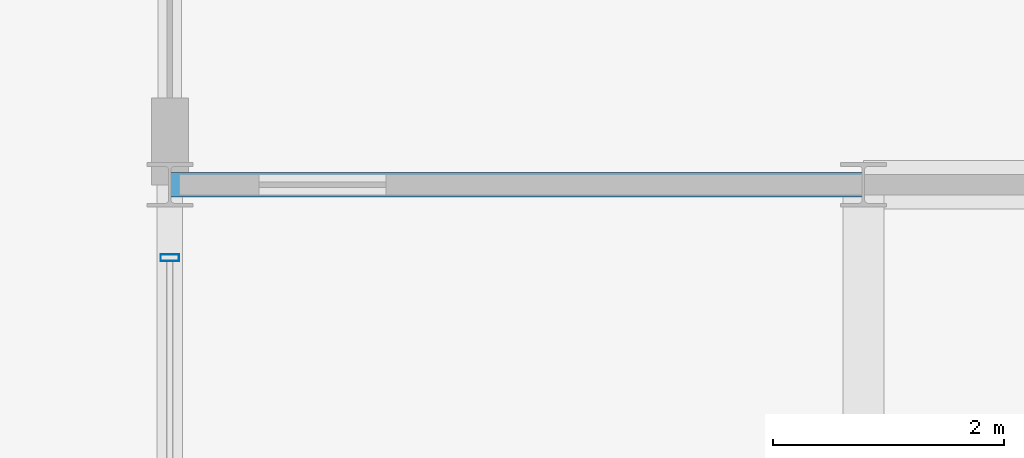
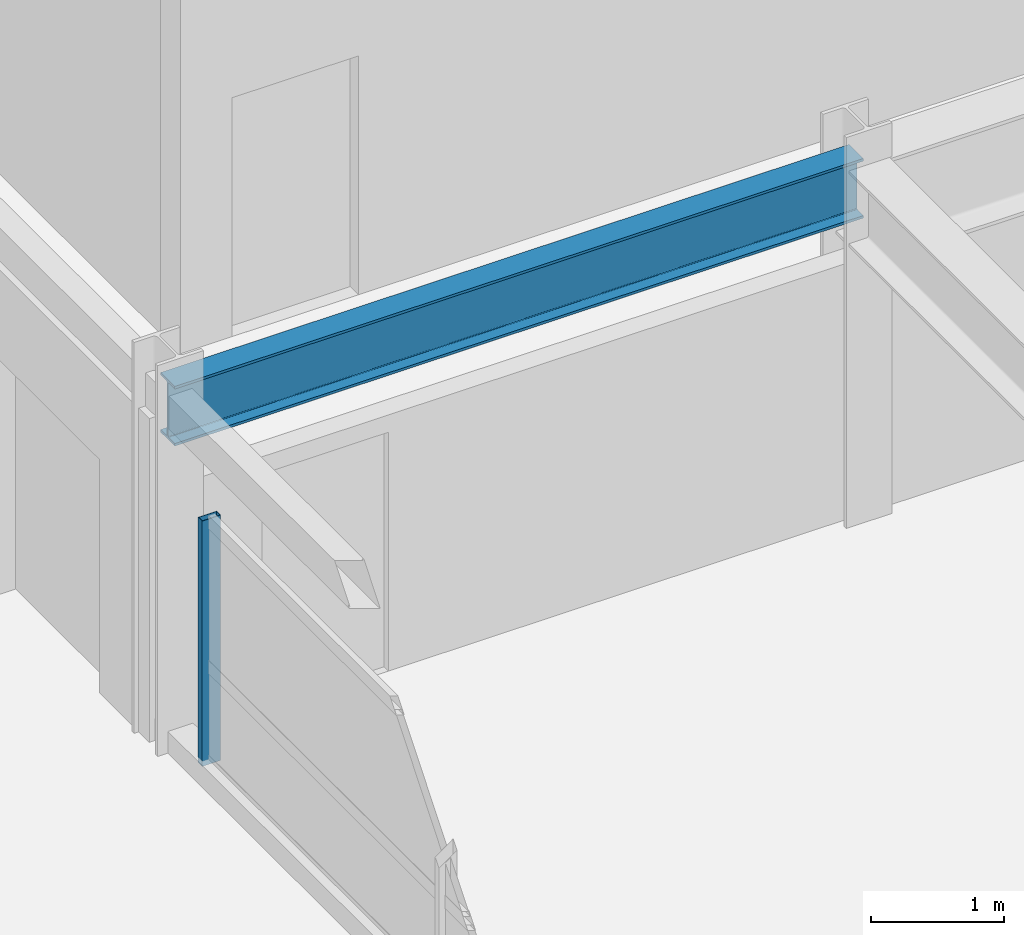
# One storey, part 4 of 24: 1 beam, 1 member, 1 element without a shape of its own.
"""IFC4 building model written with IfcOpenShell, lengths in metres."""

from ifc_helpers import new_model, si_unit, direction, frame, origin, origin_2d, place, context, subcontext, project, spatial, hollow_rectangle, i_section, extrude, material, material_profile, profile_set, type_object, element, aggregate, save


model = new_model("IFC4")

# Units and contexts
model_context = context("Model", 3, precision=1e-05, world=origin(), true_north=direction((0.0, 1.0)))
body_context = subcontext(model_context, "Body", "Model", "MODEL_VIEW")
ifc_project = project(units=[si_unit("LENGTHUNIT", "METRE"), si_unit("AREAUNIT", "SQUARE_METRE"), si_unit("VOLUMEUNIT", "CUBIC_METRE"), si_unit("PLANEANGLEUNIT", "RADIAN"), si_unit("MASSUNIT", "GRAM", prefix="KILO")], contexts=[model_context])

# Site, building, storey
site_placement = place(None, origin())
site = spatial("IfcSite", under=ifc_project, at=site_placement, CompositionType="ELEMENT")
building_placement = place(site_placement, origin())
building = spatial("IfcBuilding", under=site, at=building_placement, Name="Kaldorvane Square Convention Centre", CompositionType="ELEMENT")
storey_placement = place(building_placement, frame((0.0, 0.0, 60.0)))
storey = spatial("IfcBuildingStorey", under=building, at=storey_placement, Name="L14", CompositionType="ELEMENT", Elevation=60.0)

# Beam
ifc_material_1 = material(Name="Steel ASTM A992 Gr. 50", Category="steel")
ifc_material_profile_1 = material_profile(ifc_material_1, i_section(OverallWidth=0.213897705078125, OverallDepth=0.549102783203125, WebThickness=0.0146942138671875, FlangeThickness=0.0236053466796875, FilletRadius=0.0126953125, at=origin_2d()), Name="W21X93")
ifc_profile_set_1 = profile_set([ifc_material_profile_1], Name="Steel ASTM A992 Gr. 50")
beam_type = type_object("IfcBeamType", Name="BM-GR-W21X93", PredefinedType="BEAM", material=ifc_profile_set_1)
beam_placement = place(storey_placement, frame((36.0, 96.0, 3.011505126953125), z_axis=(1.0, 0.0, 0.0), x_axis=(0.0, 1.0, 0.0)))
element("IfcBeam", 1, at=beam_placement, inside=storey, type_object=beam_type, Name="Primary Girder (L14)", PredefinedType="BEAM", context=body_context, shape_type="SweptSolid", body=[
    extrude(i_section(OverallWidth=0.213897705078125, OverallDepth=0.549102783203125, WebThickness=0.0146942138671875, FlangeThickness=0.0236053466796875, FilletRadius=0.0126953125, at=origin_2d()), origin(), (0.0, 0.0, 1.0), 6.0),
])

# Curtain wall, member
ifc_material_2 = material(Name="Anodized Aluminum and Low-E Insulated Glazing", Category="aluminium")
curtain_wall_type = type_object("IfcCurtainWallType", Name="CW-UNI-HTL-B", PredefinedType="USERDEFINED", material=ifc_material_2)
curtain_wall_placement = place(storey_placement, origin())
curtain_wall = element("IfcCurtainWall", 2, at=curtain_wall_placement, inside=storey, type_object=curtain_wall_type, Name="Curtain Wall CW-11 (L14)", ObjectType="UNITISED GLAZING", PredefinedType="USERDEFINED")
ifc_material_profile_2 = material_profile(ifc_material_2, hollow_rectangle(XDim=0.05999755859375, YDim=0.160003662109375, WallThickness=0.003204345703125, at=origin_2d()), Name="CWM-160X60")
ifc_profile_set_2 = profile_set([ifc_material_profile_2], Name="Anodized Aluminum and Low-E Insulated Glazing")
member_type = type_object("IfcMemberType", Name="CW-MUL-160", PredefinedType="MULLION", material=ifc_profile_set_2)
member_placement = place(storey_placement, frame((36.0, 95.3699951171875, 0.149993896484375), z_axis=(0.0, 0.0, 1.0), x_axis=(0.0, -1.0, 0.0)))
member = element("IfcMember", 3, at=member_placement, type_object=member_type, Name="CW-11 mullion 1", PredefinedType="MULLION", context=body_context, shape_type="SweptSolid", body=[
    extrude(hollow_rectangle(XDim=0.05999755859375, YDim=0.160003662109375, WallThickness=0.003204345703125, at=origin_2d()), origin(), (0.0, 0.0, 1.0), 2.260009765625),
])
aggregate(curtain_wall, [member])

save(model, "model.ifc")
